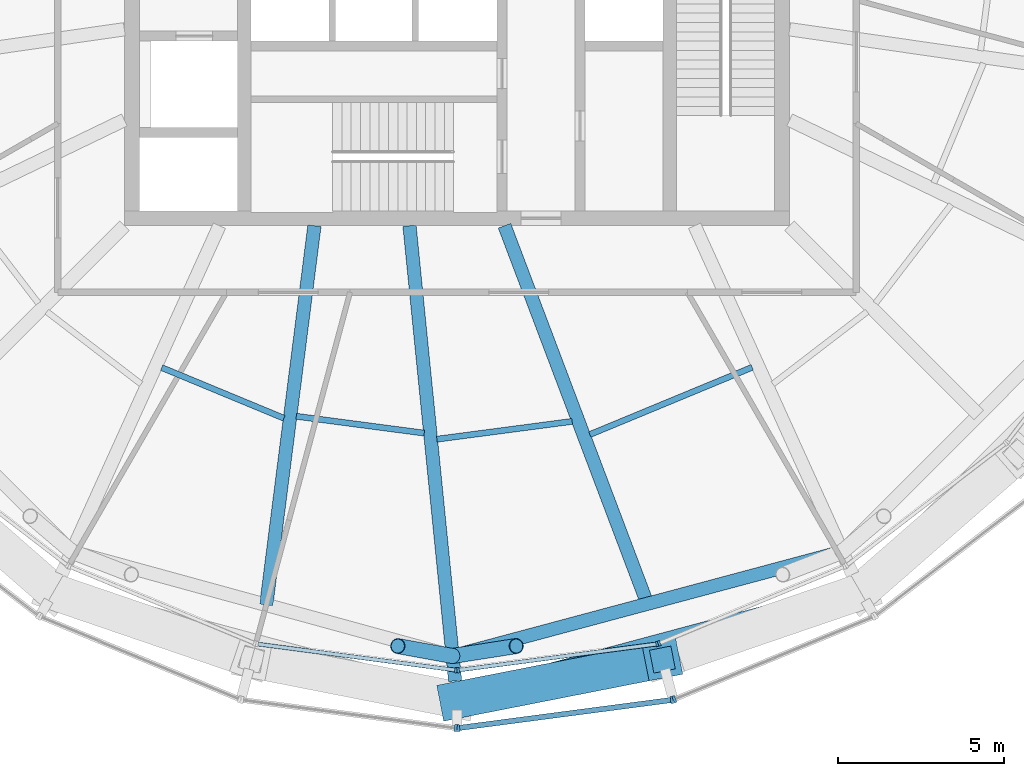
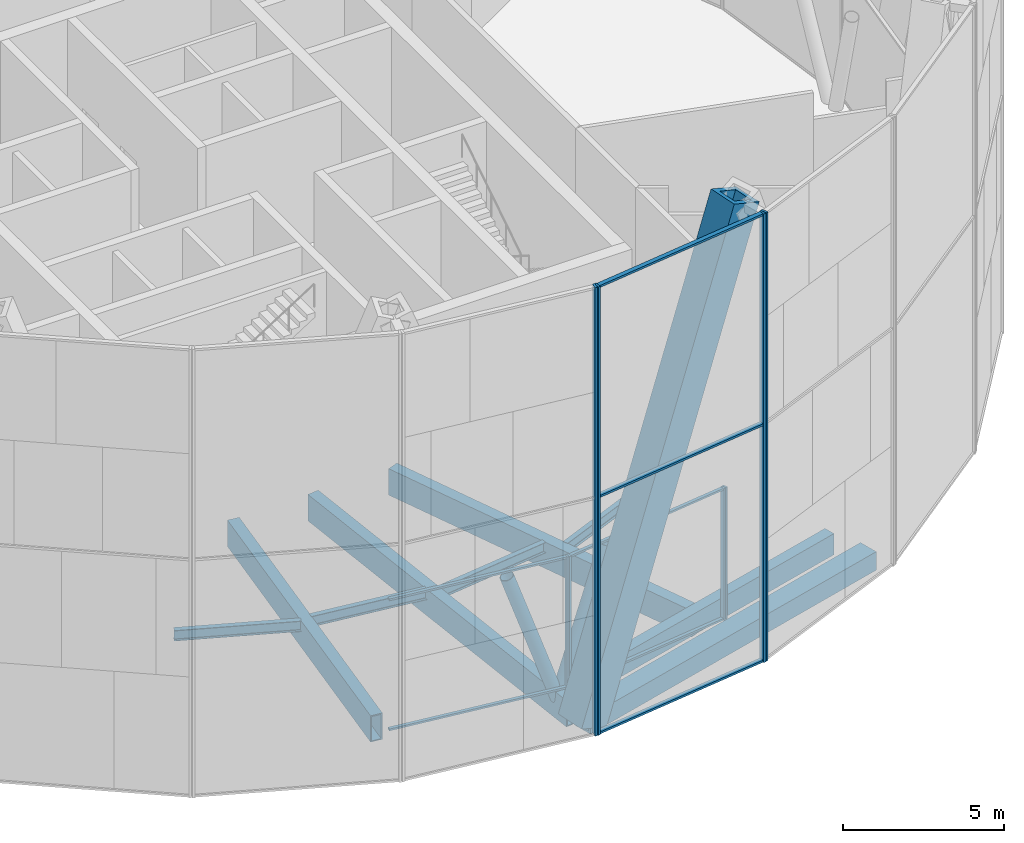
# One storey, part 2 of 15: 18 members, 9 beams, 6 elements without a shape of their own.
"""IFC4 building model written with IfcOpenShell, lengths in metres."""

from ifc_helpers import new_model, si_unit, direction, frame, origin, origin_2d, place, context, subcontext, project, spatial, rectangle, hollow_rectangle, hollow_circle, i_section, extrude, material, material_profile, profile_set, type_object, element, aggregate, save


model = new_model("IFC4")

# Units and contexts
model_context = context("Model", 3, precision=1e-05, world=origin(), true_north=direction((0.0, 1.0)))
body_context = subcontext(model_context, "Body", "Model", "MODEL_VIEW")
ifc_project = project(units=[si_unit("LENGTHUNIT", "METRE"), si_unit("AREAUNIT", "SQUARE_METRE"), si_unit("VOLUMEUNIT", "CUBIC_METRE"), si_unit("PLANEANGLEUNIT", "RADIAN"), si_unit("MASSUNIT", "GRAM", prefix="KILO")], contexts=[model_context])

# Site, building, storey
site_placement = place(None, origin())
site = spatial("IfcSite", under=ifc_project, at=site_placement, CompositionType="ELEMENT")
building_placement = place(site_placement, origin())
building = spatial("IfcBuilding", under=site, at=building_placement, Name="Golbaran Civic Tower", CompositionType="ELEMENT")
storey_placement = place(building_placement, frame((0.0, 0.0, 215.0)))
storey = spatial("IfcBuildingStorey", under=building, at=storey_placement, Name="L52", CompositionType="ELEMENT", Elevation=215.0)

# Members
ifc_material_1 = material(Name="Steel S355", Category="steel")
ifc_material_profile_1 = material_profile(ifc_material_1, hollow_circle(Radius=0.228515625, WallThickness=0.02001953125, at=origin_2d()), Name="CHS 457.0x20")
ifc_profile_set_1 = profile_set([ifc_material_profile_1], Name="Steel S355")
member_type_1 = type_object("IfcMemberType", Name="BELT TRUSS DIAGONAL CHS 457.0x20", PredefinedType="BRACE", material=ifc_profile_set_1)
member_1_placement = place(storey_placement, frame((-0.13232421875, -22.934814453125, -0.60009765625), z_axis=(0.356798260795, 0.055687120081, 0.93252021198), x_axis=(-0.154207636616, 0.988038463224, 0.0)))
element("IfcMember", 1, at=member_1_placement, inside=storey, type_object=member_type_1, Name="Belt truss diagonal 270.00R L52", PredefinedType="BRACE", context=body_context, shape_type="SweptSolid", body=[
    extrude(hollow_circle(Radius=0.228515625, WallThickness=0.02001953125, at=origin_2d()), origin(), (0.0, 0.0, 1.0), 5.36181640625),
])
member_2_placement = place(storey_placement, frame((-0.13232421875, -22.934814453125, -0.60009765625), z_axis=(-0.312607456474, 0.056623062688, 0.948193232906), x_axis=(-0.178231349372, -0.983988610758, 0.0)))
element("IfcMember", 2, at=member_2_placement, inside=storey, type_object=member_type_1, Name="Belt truss diagonal 270.00L L52", PredefinedType="BRACE", context=body_context, shape_type="SweptSolid", body=[
    extrude(hollow_circle(Radius=0.228515625, WallThickness=0.02001953125, at=origin_2d()), origin(), (0.0, 0.0, 1.0), 5.273193359375),
])
ifc_material_profile_2 = material_profile(ifc_material_1, hollow_rectangle(XDim=1.10009765625, YDim=1.10009765625, WallThickness=0.199951171875, at=origin_2d()), Name="BOX 1100x1100x200")
ifc_profile_set_2 = profile_set([ifc_material_profile_2], Name="Steel S355")
member_type_2 = type_object("IfcMemberType", Name="DIAGRID DIAGONAL BOX 1100x1100x200", PredefinedType="BRACE", material=ifc_profile_set_2)
member_3_placement = place(storey_placement, frame((0.0, -24.256103515625, -0.7099609375), z_axis=(0.340598547368, 0.066964133715, 0.937821109981), x_axis=(-0.192914082197, 0.981215652591, 0.0)))
element("IfcMember", 3, at=member_3_placement, inside=storey, type_object=member_type_2, Name="Diagonal D12-09R L52-L56", PredefinedType="BRACE", context=body_context, shape_type="SweptSolid", body=[
    extrude(hollow_rectangle(XDim=1.10009765625, YDim=1.10009765625, WallThickness=0.199951171875, at=origin_2d()), origin(), (0.0, 0.0, 1.0), 18.127197265625),
])

# Beams
ifc_material_profile_3 = material_profile(ifc_material_1, hollow_rectangle(XDim=0.699951171875, YDim=0.699951171875, WallThickness=0.080078125, at=origin_2d()), Name="BOX 700x700x80")
ifc_profile_set_3 = profile_set([ifc_material_profile_3], Name="Steel S355")
beam_type_1 = type_object("IfcBeamType", Name="DIAGRID RING TIE BOX 700x700x80", PredefinedType="BEAM", material=ifc_profile_set_3)
beam_1_placement = place(storey_placement, frame((0.0, -24.256103515625, -0.7099609375), z_axis=(0.965924096113, 0.258825502121, 0.0), x_axis=(-0.258825502121, 0.965924096113, 0.0)))
element("IfcBeam", 4, at=beam_1_placement, inside=storey, type_object=beam_type_1, Name="Ring tie 270.00 L52", PredefinedType="BEAM", context=body_context, shape_type="SweptSolid", body=[
    extrude(hollow_rectangle(XDim=0.699951171875, YDim=0.699951171875, WallThickness=0.080078125, at=origin_2d()), origin(), (0.0, 0.0, 1.0), 12.5556640625),
])
ifc_material_profile_4 = material_profile(ifc_material_1, hollow_rectangle(XDim=0.39990234375, YDim=0.800048828125, WallThickness=0.0400390625, at=origin_2d()), Name="BOX 800x400x40")
ifc_profile_set_4 = profile_set([ifc_material_profile_4], Name="Steel S355")
beam_type_2 = type_object("IfcBeamType", Name="EDGE BEAM BOX 800x400x40", PredefinedType="BEAM", material=ifc_profile_set_4)
beam_2_placement = place(storey_placement, frame((0.043701171875, -22.887451171875, -0.60009765625), z_axis=(0.965942492576, 0.258756837659, 0.0), x_axis=(-0.258756837659, 0.965942492576, 0.0)))
element("IfcBeam", 5, at=beam_2_placement, inside=storey, type_object=beam_type_2, Name="Edge beam 270.00 L52", PredefinedType="BEAM", context=body_context, shape_type="SweptSolid", body=[
    extrude(hollow_rectangle(XDim=0.39990234375, YDim=0.800048828125, WallThickness=0.0400390625, at=origin_2d()), origin(), (0.0, 0.0, 1.0), 11.760986328125),
])
ifc_material_profile_5 = material_profile(ifc_material_1, i_section(OverallWidth=0.179931640625, OverallDepth=0.39990234375, WebThickness=0.008544921875, FlangeThickness=0.013427734375, FilletRadius=0.02099609375, at=origin_2d()), Name="IPE 400")
ifc_profile_set_5 = profile_set([ifc_material_profile_5], Name="Steel S355")
beam_type_3 = type_object("IfcBeamType", Name="FLOOR INFILL BEAM IPE 400", PredefinedType="BEAM", material=ifc_profile_set_5)
beam_3_placement = place(storey_placement, frame((-8.876953125, -14.26513671875, -0.39990234375), z_axis=(0.923886657851, -0.382666229821, 0.0), x_axis=(0.382666229821, 0.923886657851, 0.0)))
element("IfcBeam", 6, at=beam_3_placement, inside=storey, type_object=beam_type_3, Name="Infill beam 247.50 L52", PredefinedType="BEAM", context=body_context, shape_type="SweptSolid", body=[
    extrude(i_section(OverallWidth=0.179931640625, OverallDepth=0.39990234375, WebThickness=0.008544921875, FlangeThickness=0.013427734375, FilletRadius=0.02099609375, at=origin_2d()), origin(), (0.0, 0.0, 1.0), 3.977294921875),
])
beam_4_placement = place(storey_placement, frame((-4.83203125, -15.72802734375, -0.39990234375), z_axis=(0.991442514093, -0.130544020353, 0.0), x_axis=(0.130544020353, 0.991442514093, 0.0)))
element("IfcBeam", 7, at=beam_4_placement, inside=storey, type_object=beam_type_3, Name="Infill beam 262.50 L52", PredefinedType="BEAM", context=body_context, shape_type="SweptSolid", body=[
    extrude(i_section(OverallWidth=0.179931640625, OverallDepth=0.39990234375, WebThickness=0.008544921875, FlangeThickness=0.013427734375, FilletRadius=0.02099609375, at=origin_2d()), origin(), (0.0, 0.0, 1.0), 3.880615234375),
])
beam_5_placement = place(storey_placement, frame((-0.6044921875, -16.41748046875, -0.39990234375), z_axis=(0.991441925655, 0.13054848928, 0.0), x_axis=(-0.13054848928, 0.991441925655, 0.0)))
element("IfcBeam", 8, at=beam_5_placement, inside=storey, type_object=beam_type_3, Name="Infill beam 277.50 L52", PredefinedType="BEAM", context=body_context, shape_type="SweptSolid", body=[
    extrude(i_section(OverallWidth=0.179931640625, OverallDepth=0.39990234375, WebThickness=0.008544921875, FlangeThickness=0.013427734375, FilletRadius=0.02099609375, at=origin_2d()), origin(), (0.0, 0.0, 1.0), 4.099365234375),
])
beam_6_placement = place(storey_placement, frame((3.994140625, -16.277587890625, -0.39990234375), z_axis=(0.923880481198, 0.382681142024, 0.0), x_axis=(-0.382681142024, 0.923880481198, 0.0)))
element("IfcBeam", 9, at=beam_6_placement, inside=storey, type_object=beam_type_3, Name="Infill beam 292.50 L52", PredefinedType="BEAM", context=body_context, shape_type="SweptSolid", body=[
    extrude(i_section(OverallWidth=0.179931640625, OverallDepth=0.39990234375, WebThickness=0.008544921875, FlangeThickness=0.013427734375, FilletRadius=0.02099609375, at=origin_2d()), origin(), (0.0, 0.0, 1.0), 5.28125),
])

# Curtain wall, member
ifc_material_2 = material(Name="Aluminium and glass", Category="aluminium")
curtain_wall_type_1 = type_object("IfcCurtainWallType", Name="OUTER SKIN TERRACOTTA SCREEN", PredefinedType="NOTDEFINED", material=ifc_material_2)
curtain_wall_1_placement = place(storey_placement, origin())
curtain_wall_1 = element("IfcCurtainWall", 10, at=curtain_wall_1_placement, inside=storey, type_object=curtain_wall_type_1, Name="Outer skin L52 facet 18 CW3", ObjectType="OUTER SKIN", PredefinedType="USERDEFINED")
ifc_material_3 = material(Name="Aluminium", Category="aluminium")
ifc_material_profile_6 = material_profile(ifc_material_3, rectangle(XDim=0.219970703125, YDim=0.080078125, at=origin_2d()), Name="OUTER SKIN TERRACOTTA SCREEN MULLION")
ifc_profile_set_6 = profile_set([ifc_material_profile_6], Name="Aluminium")
member_type_3 = type_object("IfcMemberType", Name="OUTER SKIN TERRACOTTA SCREEN MULLION", PredefinedType="MULLION", material=ifc_profile_set_6)
member_4_placement = place(storey_placement, frame((-0.03955078125, -25.100830078125, -0.7099609375), z_axis=(0.0, 0.0, 1.0), x_axis=(0.130526192203, 0.991444861376, 0.0)))
member_4 = element("IfcMember", 11, at=member_4_placement, type_object=member_type_3, Name="CW3 mullion 2", PredefinedType="MULLION", context=body_context, shape_type="SweptSolid", body=[
    extrude(rectangle(XDim=0.219970703125, YDim=0.080078125, at=origin_2d()), origin(), (0.0, 0.0, 1.0), 17.0),
])
aggregate(curtain_wall_1, [member_4])

# Curtain wall, members
curtain_wall_2_placement = place(storey_placement, origin())
curtain_wall_2 = element("IfcCurtainWall", 12, at=curtain_wall_2_placement, inside=storey, type_object=curtain_wall_type_1, Name="Outer skin L52 facet 19 CW3", ObjectType="OUTER SKIN", PredefinedType="USERDEFINED")
member_5_placement = place(storey_placement, frame((0.03955078125, -25.100830078125, -0.7099609375), z_axis=(0.0, 0.0, 1.0), x_axis=(-0.130526192203, 0.991444861376, 0.0)))
member_5 = element("IfcMember", 13, at=member_5_placement, type_object=member_type_3, Name="CW3 mullion 1", PredefinedType="MULLION", context=body_context, shape_type="SweptSolid", body=[
    extrude(rectangle(XDim=0.219970703125, YDim=0.080078125, at=origin_2d()), origin(), (0.0, 0.0, 1.0), 17.0),
])
member_6_placement = place(storey_placement, frame((6.458251953125, -24.255859375, -0.7099609375), z_axis=(0.0, 0.0, 1.0), x_axis=(-0.130526192203, 0.991444861376, 0.0)))
member_6 = element("IfcMember", 14, at=member_6_placement, type_object=member_type_3, Name="CW3 mullion 2", PredefinedType="MULLION", context=body_context, shape_type="SweptSolid", body=[
    extrude(rectangle(XDim=0.219970703125, YDim=0.080078125, at=origin_2d()), origin(), (0.0, 0.0, 1.0), 17.0),
])

# Curtain wall, member
curtain_wall_3_placement = place(storey_placement, origin())
curtain_wall_3 = element("IfcCurtainWall", 15, at=curtain_wall_3_placement, inside=storey, type_object=curtain_wall_type_1, Name="Outer skin L52 facet 20 CW3", ObjectType="OUTER SKIN", PredefinedType="USERDEFINED")
member_7_placement = place(storey_placement, frame((6.534912109375, -24.235107421875, -0.7099609375), z_axis=(0.0, 0.0, 1.0), x_axis=(-0.38268343243, 0.923879532485, 0.0)))
member_7 = element("IfcMember", 16, at=member_7_placement, type_object=member_type_3, Name="CW3 mullion 1", PredefinedType="MULLION", context=body_context, shape_type="SweptSolid", body=[
    extrude(rectangle(XDim=0.219970703125, YDim=0.080078125, at=origin_2d()), origin(), (0.0, 0.0, 1.0), 17.0),
])
aggregate(curtain_wall_3, [member_7])

# Member
ifc_material_profile_7 = material_profile(ifc_material_3, rectangle(XDim=0.159912109375, YDim=0.080078125, at=origin_2d()), Name="OUTER SKIN TERRACOTTA SCREEN TRANSOM")
ifc_profile_set_7 = profile_set([ifc_material_profile_7], Name="Aluminium")
member_type_4 = type_object("IfcMemberType", Name="OUTER SKIN TERRACOTTA SCREEN TRANSOM", PredefinedType="USERDEFINED", material=ifc_profile_set_7)
member_8_placement = place(storey_placement, frame((0.079345703125, -25.095458984375, -0.669921875), z_axis=(0.991447276218, 0.130507848345, 0.0), x_axis=(-0.130507848345, 0.991447276218, 0.0)))
member_8 = element("IfcMember", 17, at=member_8_placement, type_object=member_type_4, Name="CW3 transom 1.1", ObjectType="TRANSOM", PredefinedType="USERDEFINED", context=body_context, shape_type="SweptSolid", body=[
    extrude(rectangle(XDim=0.159912109375, YDim=0.080078125, at=origin_2d()), origin(), (0.0, 0.0, 1.0), 6.39404296875),
])

member_9_placement = place(storey_placement, frame((0.079345703125, -25.095458984375, 8.2900390625), z_axis=(0.991447276218, 0.130507848345, 0.0), x_axis=(-0.130507848345, 0.991447276218, 0.0)))
member_9 = element("IfcMember", 18, at=member_9_placement, type_object=member_type_4, Name="CW3 transom 1.2", ObjectType="TRANSOM", PredefinedType="USERDEFINED", context=body_context, shape_type="SweptSolid", body=[
    extrude(rectangle(XDim=0.159912109375, YDim=0.080078125, at=origin_2d()), origin(), (0.0, 0.0, 1.0), 6.39404296875),
])

member_10_placement = place(storey_placement, frame((0.079345703125, -25.095458984375, 16.25), z_axis=(0.991447276218, 0.130507848345, 0.0), x_axis=(-0.130507848345, 0.991447276218, 0.0)))
member_10 = element("IfcMember", 19, at=member_10_placement, type_object=member_type_4, Name="CW3 transom 1.3", ObjectType="TRANSOM", PredefinedType="USERDEFINED", context=body_context, shape_type="SweptSolid", body=[
    extrude(rectangle(XDim=0.159912109375, YDim=0.080078125, at=origin_2d()), origin(), (0.0, 0.0, 1.0), 6.39404296875),
])

aggregate(curtain_wall_2, [member_5, member_6, member_8, member_9, member_10])

# Curtain wall, member
curtain_wall_type_2 = type_object("IfcCurtainWallType", Name="PLANT FLOOR LOUVRE WALL", PredefinedType="NOTDEFINED", material=ifc_material_2)
curtain_wall_4_placement = place(storey_placement, origin())
curtain_wall_4 = element("IfcCurtainWall", 20, at=curtain_wall_4_placement, inside=storey, type_object=curtain_wall_type_2, Name="Inner skin L52 facet 18 CW6", ObjectType="PLANT LOUVRE WALL", PredefinedType="USERDEFINED")
ifc_material_profile_8 = material_profile(ifc_material_3, rectangle(XDim=0.159912109375, YDim=0.070068359375, at=origin_2d()), Name="PLANT FLOOR LOUVRE WALL MULLION")
ifc_profile_set_8 = profile_set([ifc_material_profile_8], Name="Aluminium")
member_type_5 = type_object("IfcMemberType", Name="PLANT FLOOR LOUVRE WALL MULLION", PredefinedType="MULLION", material=ifc_profile_set_8)
member_11_placement = place(storey_placement, frame((-0.03466796875, -23.3603515625, 0.0), z_axis=(0.0, 0.0, 1.0), x_axis=(0.130526192255, 0.991444861369, 0.0)))
member_11 = element("IfcMember", 21, at=member_11_placement, type_object=member_type_5, Name="CW6 mullion 2", PredefinedType="MULLION", context=body_context, shape_type="SweptSolid", body=[
    extrude(rectangle(XDim=0.159912109375, YDim=0.070068359375, at=origin_2d()), origin(), (0.0, 0.0, 1.0), 5.0),
])

# Curtain wall, members
curtain_wall_5_placement = place(storey_placement, origin())
curtain_wall_5 = element("IfcCurtainWall", 22, at=curtain_wall_5_placement, inside=storey, type_object=curtain_wall_type_2, Name="Inner skin L52 facet 19 CW6", ObjectType="PLANT LOUVRE WALL", PredefinedType="USERDEFINED")
member_12_placement = place(storey_placement, frame((0.03466796875, -23.3603515625, 0.0), z_axis=(0.0, 0.0, 1.0), x_axis=(-0.130526192255, 0.991444861369, 0.0)))
member_12 = element("IfcMember", 23, at=member_12_placement, type_object=member_type_5, Name="CW6 mullion 1", PredefinedType="MULLION", context=body_context, shape_type="SweptSolid", body=[
    extrude(rectangle(XDim=0.159912109375, YDim=0.070068359375, at=origin_2d()), origin(), (0.0, 0.0, 1.0), 5.0),
])
member_13_placement = place(storey_placement, frame((6.0126953125, -22.573486328125, 0.0), z_axis=(0.0, 0.0, 1.0), x_axis=(-0.130526192255, 0.991444861369, 0.0)))
member_13 = element("IfcMember", 24, at=member_13_placement, type_object=member_type_5, Name="CW6 mullion 2", PredefinedType="MULLION", context=body_context, shape_type="SweptSolid", body=[
    extrude(rectangle(XDim=0.159912109375, YDim=0.070068359375, at=origin_2d()), origin(), (0.0, 0.0, 1.0), 5.0),
])

# Curtain wall, member
curtain_wall_6_placement = place(storey_placement, origin())
curtain_wall_6 = element("IfcCurtainWall", 25, at=curtain_wall_6_placement, inside=storey, type_object=curtain_wall_type_2, Name="Inner skin L52 facet 20 CW6", ObjectType="PLANT LOUVRE WALL", PredefinedType="USERDEFINED")
member_14_placement = place(storey_placement, frame((6.07958984375, -22.555419921875, 0.0), z_axis=(0.0, 0.0, 1.0), x_axis=(-0.382683432397, 0.923879532498, 0.0)))
member_14 = element("IfcMember", 26, at=member_14_placement, type_object=member_type_5, Name="CW6 mullion 1", PredefinedType="MULLION", context=body_context, shape_type="SweptSolid", body=[
    extrude(rectangle(XDim=0.159912109375, YDim=0.070068359375, at=origin_2d()), origin(), (0.0, 0.0, 1.0), 5.0),
])
aggregate(curtain_wall_6, [member_14])

# Member
ifc_material_profile_9 = material_profile(ifc_material_3, rectangle(XDim=0.1201171875, YDim=0.070068359375, at=origin_2d()), Name="PLANT FLOOR LOUVRE WALL TRANSOM")
ifc_profile_set_9 = profile_set([ifc_material_profile_9], Name="Aluminium")
member_type_6 = type_object("IfcMemberType", Name="PLANT FLOOR LOUVRE WALL TRANSOM", PredefinedType="USERDEFINED", material=ifc_profile_set_9)
member_15_placement = place(storey_placement, frame((-5.97802734375, -22.577880859375, 0.034912109375), z_axis=(0.991440904811, -0.130556241783, 0.0), x_axis=(0.130556241783, 0.991440904811, 0.0)))
member_15 = element("IfcMember", 27, at=member_15_placement, type_object=member_type_6, Name="CW6 transom 1.1", ObjectType="TRANSOM", PredefinedType="USERDEFINED", context=body_context, shape_type="SweptSolid", body=[
    extrude(rectangle(XDim=0.1201171875, YDim=0.070068359375, at=origin_2d()), origin(), (0.0, 0.0, 1.0), 5.959716796875),
])

member_16_placement = place(storey_placement, frame((-5.97802734375, -22.577880859375, 4.965087890625), z_axis=(0.991440904811, -0.130556241783, 0.0), x_axis=(0.130556241783, 0.991440904811, 0.0)))
member_16 = element("IfcMember", 28, at=member_16_placement, type_object=member_type_6, Name="CW6 transom 1.2", ObjectType="TRANSOM", PredefinedType="USERDEFINED", context=body_context, shape_type="SweptSolid", body=[
    extrude(rectangle(XDim=0.1201171875, YDim=0.070068359375, at=origin_2d()), origin(), (0.0, 0.0, 1.0), 5.959716796875),
])

aggregate(curtain_wall_4, [member_11, member_15, member_16])

member_17_placement = place(storey_placement, frame((0.0693359375, -23.35595703125, 0.034912109375), z_axis=(0.991440904811, 0.130556241783, 0.0), x_axis=(-0.130556241783, 0.991440904811, 0.0)))
member_17 = element("IfcMember", 29, at=member_17_placement, type_object=member_type_6, Name="CW6 transom 1.1", ObjectType="TRANSOM", PredefinedType="USERDEFINED", context=body_context, shape_type="SweptSolid", body=[
    extrude(rectangle(XDim=0.1201171875, YDim=0.070068359375, at=origin_2d()), origin(), (0.0, 0.0, 1.0), 5.959716796875),
])

member_18_placement = place(storey_placement, frame((0.0693359375, -23.35595703125, 4.965087890625), z_axis=(0.991440904811, 0.130556241783, 0.0), x_axis=(-0.130556241783, 0.991440904811, 0.0)))
member_18 = element("IfcMember", 30, at=member_18_placement, type_object=member_type_6, Name="CW6 transom 1.2", ObjectType="TRANSOM", PredefinedType="USERDEFINED", context=body_context, shape_type="SweptSolid", body=[
    extrude(rectangle(XDim=0.1201171875, YDim=0.070068359375, at=origin_2d()), origin(), (0.0, 0.0, 1.0), 5.959716796875),
])

aggregate(curtain_wall_5, [member_12, member_13, member_17, member_18])

# Beams
ifc_material_profile_10 = material_profile(ifc_material_1, hollow_rectangle(XDim=0.39990234375, YDim=1.0, WallThickness=0.0400390625, at=origin_2d()), Name="BOX 1000x400x40")
ifc_profile_set_10 = profile_set([ifc_material_profile_10], Name="Steel S355")
beam_type_4 = type_object("IfcBeamType", Name="RADIAL FLOOR BEAM BOX 1000x400x40", PredefinedType="BEAM", material=ifc_profile_set_10)
beam_7_placement = place(storey_placement, frame((-1.428466796875, -10.0, -0.7099609375), z_axis=(0.099695298294, -0.995018013655, 0.0), x_axis=(0.995018013655, 0.099695298294, 0.0)))
element("IfcBeam", 31, at=beam_7_placement, inside=storey, type_object=beam_type_4, Name="Radial beam 270.00 L52", PredefinedType="BEAM", context=body_context, shape_type="SweptSolid", body=[
    extrude(hollow_rectangle(XDim=0.39990234375, YDim=1.0, WallThickness=0.0400390625, at=origin_2d()), origin(), (0.0, 0.0, 1.0), 13.7529296875),
])
ifc_material_profile_11 = material_profile(ifc_material_1, hollow_rectangle(XDim=0.39990234375, YDim=1.0, WallThickness=0.0400390625, at=origin_2d()), Name="BOX 1000x400x40")
ifc_profile_set_11 = profile_set([ifc_material_profile_11], Name="Steel S355")
beam_type_5 = type_object("IfcBeamType", Name="SECONDARY FLOOR BEAM BOX 1000x400x40", PredefinedType="BEAM", material=ifc_profile_set_11)
beam_8_placement = place(storey_placement, frame((-4.28564453125, -10.0, -0.7099609375), z_axis=(-0.12603227685, -0.992026141385, 0.0), x_axis=(0.992026141385, -0.12603227685, 0.0)))
element("IfcBeam", 32, at=beam_8_placement, inside=storey, type_object=beam_type_5, Name="Secondary beam 255.00 L52", PredefinedType="BEAM", context=body_context, shape_type="SweptSolid", body=[
    extrude(hollow_rectangle(XDim=0.39990234375, YDim=1.0, WallThickness=0.0400390625, at=origin_2d()), origin(), (0.0, 0.0, 1.0), 11.490966796875),
])
beam_9_placement = place(storey_placement, frame((1.428466796875, -10.0, -0.7099609375), z_axis=(0.353599451768, -0.93539693591, 0.0), x_axis=(0.93539693591, 0.353599451768, 0.0)))
element("IfcBeam", 33, at=beam_9_placement, inside=storey, type_object=beam_type_5, Name="Secondary beam 285.00 L52", PredefinedType="BEAM", context=body_context, shape_type="SweptSolid", body=[
    extrude(hollow_rectangle(XDim=0.39990234375, YDim=1.0, WallThickness=0.0400390625, at=origin_2d()), origin(), (0.0, 0.0, 1.0), 12.150390625),
])

save(model, "model.ifc")
